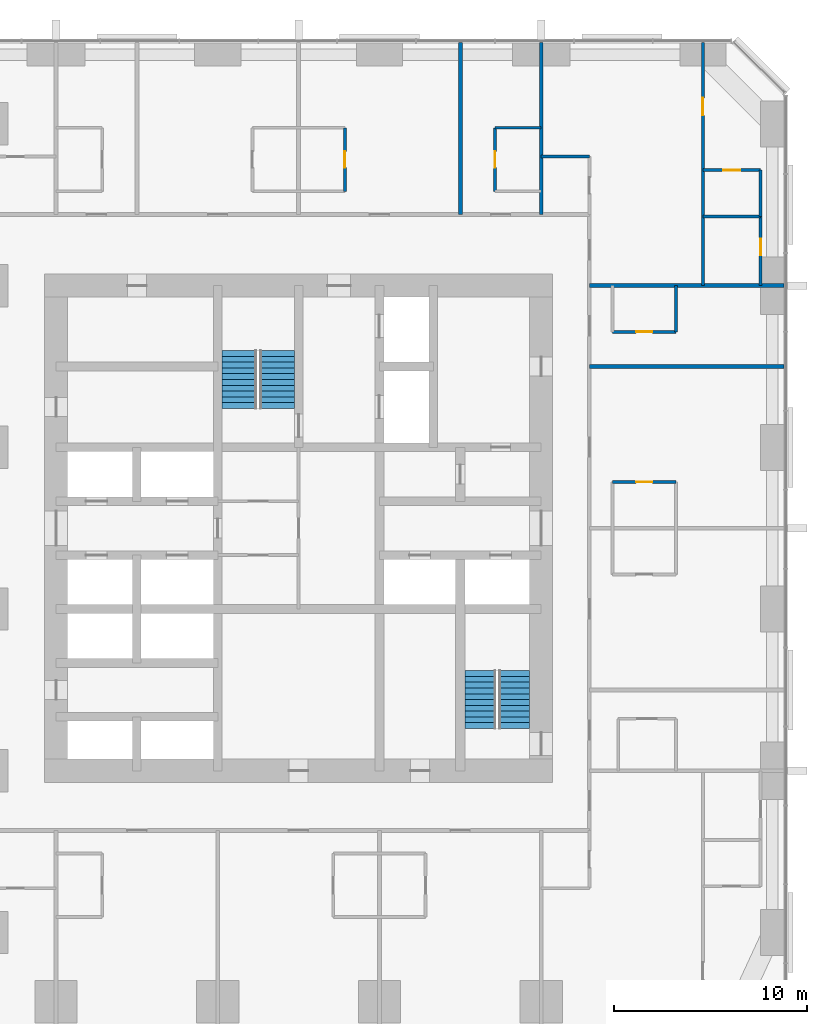
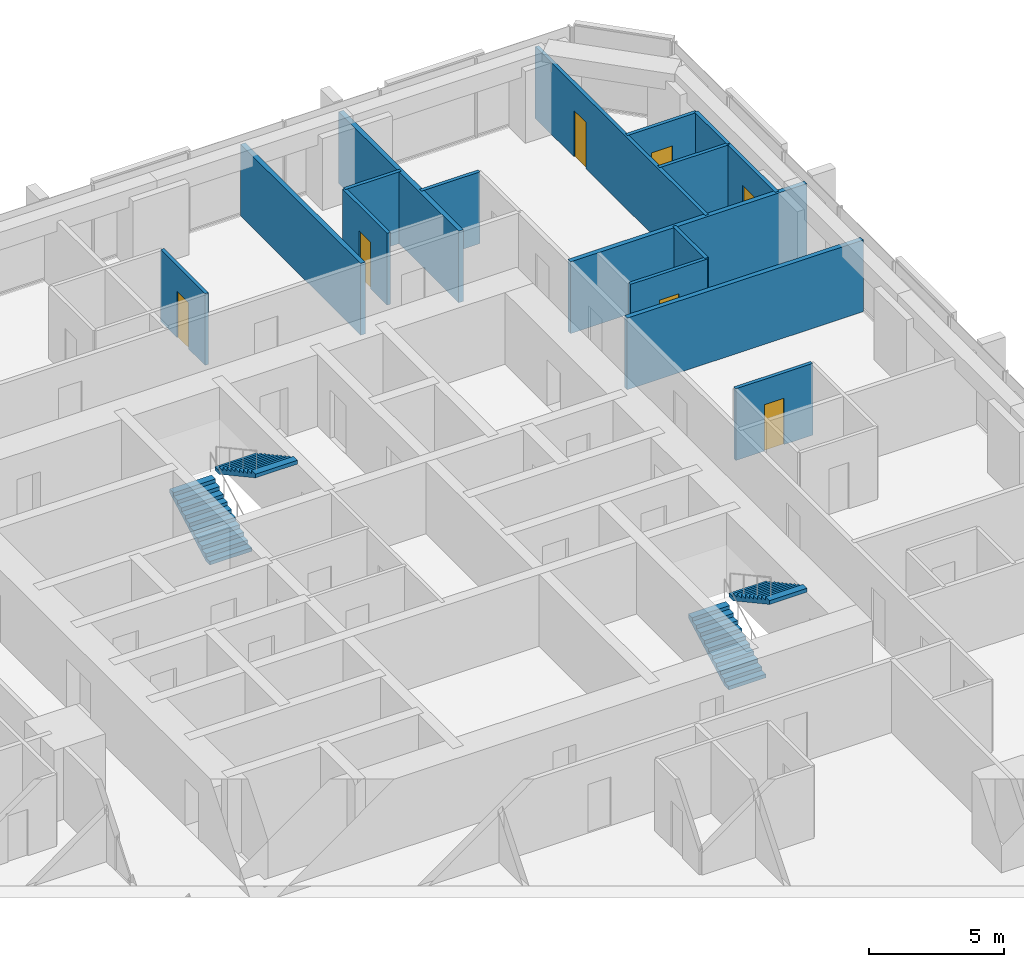
# One storey, part 12 of 13: 16 walls, 7 doors, 4 stair flights, 7 openings, 2 elements without a shape of their own.
"""IFC4 building model written with IfcOpenShell, lengths in metres."""

from ifc_helpers import new_model, si_unit, direction, frame, frame_2d, origin, place, context, subcontext, project, spatial, polyline, rectangle, outline, extrude, material, layer, layer_set, type_object, element, fill, aggregate, save


model = new_model("IFC4")

# Units and contexts
model_context = context("Model", 3, precision=1e-05, world=origin(), true_north=direction((0.0, 1.0)))
body_context = subcontext(model_context, "Body", "Model", "MODEL_VIEW")
ifc_project = project(units=[si_unit("LENGTHUNIT", "METRE"), si_unit("AREAUNIT", "SQUARE_METRE"), si_unit("VOLUMEUNIT", "CUBIC_METRE"), si_unit("PLANEANGLEUNIT", "RADIAN"), si_unit("MASSUNIT", "GRAM", prefix="KILO")], contexts=[model_context])

# Site, building, storey
site_placement = place(None, origin())
site = spatial("IfcSite", under=ifc_project, at=site_placement, CompositionType="ELEMENT")
building_placement = place(site_placement, origin())
building = spatial("IfcBuilding", under=site, at=building_placement, Name="Dunama Terrace Hotel", CompositionType="ELEMENT")
storey_placement = place(building_placement, frame((0.0, 0.0, 97.199951171875)))
storey = spatial("IfcBuildingStorey", under=building, at=storey_placement, Name="L24", CompositionType="ELEMENT", Elevation=97.199951171875)

# Wall, opening, door
ifc_material_1 = material(Name="Gypsum board partition", Category="masonry")
ifc_layer_1 = layer(ifc_material_1, 0.14990234375)
ifc_layer_set_1 = layer_set([ifc_layer_1], Name="Bathroom partition 150")
wall_type_1 = type_object("IfcWallType", Name="Bathroom partition 150", PredefinedType="PARTITIONING", material=ifc_layer_set_1)
wall_1_placement = place(storey_placement, frame((31.800048828125, 46.89990234375, 0.0), z_axis=(0.0, 0.0, 1.0), x_axis=(0.0, 1.0, 0.0)))
wall_1 = element("IfcWall", 1, at=wall_1_placement, inside=storey, type_object=wall_type_1, Name="Bathroom partition 150 L24", PredefinedType="PARTITIONING", context=body_context, shape_type="SweptSolid", body=[
    extrude(rectangle(XDim=3.300048828125, YDim=0.14990234375, at=frame_2d((1.64990234375, 0.0))), origin(), (0.0, 0.0, 1.0), 3.25),
])
opening_1_placement = place(wall_1_placement, frame((1.22509765625, 0.0, 0.0)))
opening_1 = element("IfcOpeningElement", 2, at=opening_1_placement, cuts=wall_1, Name="Opening L24-030", PredefinedType="OPENING", context=body_context, shape_type="SweptSolid", body=[
    extrude(rectangle(XDim=0.85009765625, YDim=2.10009765625, at=frame_2d((0.425048828125, 1.050048828125))), frame((0.0, 0.0849609375, 0.0), z_axis=(0.0, -1.0, 0.0), x_axis=(1.0, 0.0, 0.0)), (0.0, 0.0, 1.0), 0.169921875),
])
ifc_material_2 = material(Name="Timber door with steel frame", Category="steel")
door_type_1 = type_object("IfcDoorType", Name="Bathroom door 850", OperationType="SINGLE_SWING_LEFT", PredefinedType="DOOR", material=ifc_material_2)
door_1_placement = place(opening_1_placement, origin())
door_1 = element("IfcDoor", 3, at=door_1_placement, inside=storey, type_object=door_type_1, Name="Door to en-suite bathroom L24-030, type D2", OperationType="SINGLE_SWING_LEFT", OverallHeight=2.10009765625, OverallWidth=0.85009765625, PredefinedType="DOOR", context=body_context, shape_type="SweptSolid", body=[
    extrude(rectangle(XDim=0.85009765625, YDim=2.10009765625, at=frame_2d((0.425048828125, 1.050048828125))), frame((0.0, 0.02490234375, 0.0), z_axis=(0.0, -1.0, 0.0), x_axis=(1.0, 0.0, 0.0)), (0.0, 0.0, 1.0), 0.050048828125),
])
fill(opening_1, door_1)

wall_2_placement = place(storey_placement, frame((39.60009765625, 46.89990234375, 0.0), z_axis=(0.0, 0.0, 1.0), x_axis=(0.0, 1.0, 0.0)))
wall_2 = element("IfcWall", 4, at=wall_2_placement, inside=storey, type_object=wall_type_1, Name="Bathroom partition 150 L24", PredefinedType="PARTITIONING", context=body_context, shape_type="SweptSolid", body=[
    extrude(rectangle(XDim=3.300048828125, YDim=0.14990234375, at=frame_2d((1.64990234375, 0.0))), origin(), (0.0, 0.0, 1.0), 3.25),
])
opening_2_placement = place(wall_2_placement, frame((1.22509765625, 0.0, 0.0)))
opening_2 = element("IfcOpeningElement", 5, at=opening_2_placement, cuts=wall_2, Name="Opening L24-032", PredefinedType="OPENING", context=body_context, shape_type="SweptSolid", body=[
    extrude(rectangle(XDim=0.85009765625, YDim=2.10009765625, at=frame_2d((0.425048828125, 1.050048828125))), frame((0.0, 0.0849609375, 0.0), z_axis=(0.0, -1.0, 0.0), x_axis=(1.0, 0.0, 0.0)), (0.0, 0.0, 1.0), 0.169921875),
])
door_2_placement = place(opening_2_placement, frame((0.85009765625, 0.0, 0.0), z_axis=(0.0, 0.0, 1.0), x_axis=(-1.0, 0.0, 0.0)))
door_2 = element("IfcDoor", 6, at=door_2_placement, inside=storey, type_object=door_type_1, Name="Door to en-suite bathroom L24-032, type D2", OperationType="SINGLE_SWING_RIGHT", OverallHeight=2.10009765625, OverallWidth=0.85009765625, PredefinedType="DOOR", context=body_context, shape_type="SweptSolid", body=[
    extrude(rectangle(XDim=0.85009765625, YDim=2.10009765625, at=frame_2d((0.425048828125, 1.050048828125))), frame((0.0, 0.025146484375, 0.0), z_axis=(0.0, -1.0, 0.0), x_axis=(1.0, 0.0, 0.0)), (0.0, 0.0, 1.0), 0.050048828125),
])
fill(opening_2, door_2)

# Wall
wall_3_placement = place(storey_placement, frame((49.0, 39.60009765625, 0.0), z_axis=(0.0, 0.0, 1.0), x_axis=(0.0, 1.0, 0.0)))
element("IfcWall", 7, at=wall_3_placement, inside=storey, type_object=wall_type_1, Name="Bathroom partition 150 L24", PredefinedType="PARTITIONING", context=body_context, shape_type="SweptSolid", body=[
    extrude(rectangle(XDim=2.39990234375, YDim=0.14990234375, at=frame_2d((1.199951171875, 0.0))), origin(), (0.0, 0.0, 1.0), 3.25),
])

# Wall, opening, door
wall_4_placement = place(storey_placement, frame((53.39990234375, 42.0, 0.0), z_axis=(0.0, 0.0, 1.0), x_axis=(0.0, 1.0, 0.0)))
wall_4 = element("IfcWall", 8, at=wall_4_placement, inside=storey, type_object=wall_type_1, Name="Bathroom partition 150 L24", PredefinedType="PARTITIONING", context=body_context, shape_type="SweptSolid", body=[
    extrude(rectangle(XDim=3.60009765625, YDim=0.14990234375, at=frame_2d((1.800048828125, 0.0))), origin(), (0.0, 0.0, 1.0), 3.25),
])
opening_3_placement = place(wall_4_placement, frame((1.574951171875, 0.0, 0.0)))
opening_3 = element("IfcOpeningElement", 9, at=opening_3_placement, cuts=wall_4, Name="Opening L24-058", PredefinedType="OPENING", context=body_context, shape_type="SweptSolid", body=[
    extrude(rectangle(XDim=0.85009765625, YDim=2.10009765625, at=frame_2d((0.425048828125, 1.050048828125))), frame((0.0, 0.0849609375, 0.0), z_axis=(0.0, -1.0, 0.0), x_axis=(1.0, 0.0, 0.0)), (0.0, 0.0, 1.0), 0.169921875),
])
door_3_placement = place(opening_3_placement, origin())
door_3 = element("IfcDoor", 10, at=door_3_placement, inside=storey, type_object=door_type_1, Name="Door to en-suite bathroom L24-058, type D2", OperationType="SINGLE_SWING_LEFT", OverallHeight=2.10009765625, OverallWidth=0.85009765625, PredefinedType="DOOR", context=body_context, shape_type="SweptSolid", body=[
    extrude(rectangle(XDim=0.85009765625, YDim=2.10009765625, at=frame_2d((0.425048828125, 1.050048828125))), frame((0.0, 0.02490234375, 0.0), z_axis=(0.0, -1.0, 0.0), x_axis=(1.0, 0.0, 0.0)), (0.0, 0.0, 1.0), 0.050048828125),
])
fill(opening_3, door_3)

wall_5_placement = place(storey_placement, frame((45.699951171875, 31.800048828125, 0.0), z_axis=(0.0, 0.0, 1.0), x_axis=(1.0, 0.0, 0.0)))
wall_5 = element("IfcWall", 11, at=wall_5_placement, inside=storey, type_object=wall_type_1, Name="Bathroom partition 150 L24", PredefinedType="PARTITIONING", context=body_context, shape_type="SweptSolid", body=[
    extrude(rectangle(XDim=3.300048828125, YDim=0.14990234375, at=frame_2d((1.64990234375, 0.0))), origin(), (0.0, 0.0, 1.0), 3.25),
])
opening_4_placement = place(wall_5_placement, frame((1.22509765625, 0.0, 0.0)))
opening_4 = element("IfcOpeningElement", 12, at=opening_4_placement, cuts=wall_5, Name="Opening L24-022", PredefinedType="OPENING", context=body_context, shape_type="SweptSolid", body=[
    extrude(rectangle(XDim=0.85009765625, YDim=2.10009765625, at=frame_2d((0.425048828125, 1.050048828125))), frame((0.0, 0.0849609375, 0.0), z_axis=(0.0, -1.0, 0.0), x_axis=(1.0, 0.0, 0.0)), (0.0, 0.0, 1.0), 0.169921875),
])
door_4_placement = place(opening_4_placement, frame((0.85009765625, 0.0, 0.0), z_axis=(0.0, 0.0, 1.0), x_axis=(-1.0, 0.0, 0.0)))
door_4 = element("IfcDoor", 13, at=door_4_placement, inside=storey, type_object=door_type_1, Name="Door to en-suite bathroom L24-022, type D2", OperationType="SINGLE_SWING_LEFT", OverallHeight=2.10009765625, OverallWidth=0.85009765625, PredefinedType="DOOR", context=body_context, shape_type="SweptSolid", body=[
    extrude(rectangle(XDim=0.85009765625, YDim=2.10009765625, at=frame_2d((0.425048828125, 1.050048828125))), frame((0.0, 0.025146484375, 0.0), z_axis=(0.0, -1.0, 0.0), x_axis=(1.0, 0.0, 0.0)), (0.0, 0.0, 1.0), 0.050048828125),
])
fill(opening_4, door_4)

wall_6_placement = place(storey_placement, frame((45.699951171875, 39.60009765625, 0.0), z_axis=(0.0, 0.0, 1.0), x_axis=(1.0, 0.0, 0.0)))
wall_6 = element("IfcWall", 14, at=wall_6_placement, inside=storey, type_object=wall_type_1, Name="Bathroom partition 150 L24", PredefinedType="PARTITIONING", context=body_context, shape_type="SweptSolid", body=[
    extrude(rectangle(XDim=3.300048828125, YDim=0.14990234375, at=frame_2d((1.64990234375, 0.0))), origin(), (0.0, 0.0, 1.0), 3.25),
])
opening_5_placement = place(wall_6_placement, frame((1.22509765625, 0.0, 0.0)))
opening_5 = element("IfcOpeningElement", 15, at=opening_5_placement, cuts=wall_6, Name="Opening L24-024", PredefinedType="OPENING", context=body_context, shape_type="SweptSolid", body=[
    extrude(rectangle(XDim=0.85009765625, YDim=2.10009765625, at=frame_2d((0.425048828125, 1.050048828125))), frame((0.0, 0.0849609375, 0.0), z_axis=(0.0, -1.0, 0.0), x_axis=(1.0, 0.0, 0.0)), (0.0, 0.0, 1.0), 0.169921875),
])
door_5_placement = place(opening_5_placement, origin())
door_5 = element("IfcDoor", 16, at=door_5_placement, inside=storey, type_object=door_type_1, Name="Door to en-suite bathroom L24-024, type D2", OperationType="SINGLE_SWING_RIGHT", OverallHeight=2.10009765625, OverallWidth=0.85009765625, PredefinedType="DOOR", context=body_context, shape_type="SweptSolid", body=[
    extrude(rectangle(XDim=0.85009765625, YDim=2.10009765625, at=frame_2d((0.425048828125, 1.050048828125))), frame((0.0, 0.02490234375, 0.0), z_axis=(0.0, -1.0, 0.0), x_axis=(1.0, 0.0, 0.0)), (0.0, 0.0, 1.0), 0.050048828125),
])
fill(opening_5, door_5)

# Walls
wall_7_placement = place(storey_placement, frame((42.0, 48.699951171875, 0.0), z_axis=(0.0, 0.0, 1.0), x_axis=(1.0, 0.0, 0.0)))
element("IfcWall", 17, at=wall_7_placement, inside=storey, type_object=wall_type_1, Name="Bathroom partition 150 L24", PredefinedType="PARTITIONING", context=body_context, shape_type="SweptSolid", body=[
    extrude(rectangle(XDim=2.5, YDim=0.14990234375, at=frame_2d((1.25, 0.0))), origin(), (0.0, 0.0, 1.0), 3.25),
])
wall_8_placement = place(storey_placement, frame((39.60009765625, 50.199951171875, 0.0), z_axis=(0.0, 0.0, 1.0), x_axis=(1.0, 0.0, 0.0)))
element("IfcWall", 18, at=wall_8_placement, inside=storey, type_object=wall_type_1, Name="Bathroom partition 150 L24", PredefinedType="PARTITIONING", context=body_context, shape_type="SweptSolid", body=[
    extrude(rectangle(XDim=2.39990234375, YDim=0.14990234375, at=frame_2d((1.199951171875, 0.0))), origin(), (0.0, 0.0, 1.0), 3.25),
])
ifc_material_3 = material(Name="Concrete blockwork", Category="masonry")
ifc_layer_2 = layer(ifc_material_3, 0.199951171875)
ifc_layer_set_2 = layer_set([ifc_layer_2], Name="Party wall 200")
wall_type_2 = type_object("IfcWallType", Name="Party wall 200", PredefinedType="PARTITIONING", material=ifc_layer_set_2)
for number, where, z_axis, x_axis, name in (
    (19, (37.800048828125, 45.699951171875, 0.0), (0.0, 0.0, 1.0), (0.0, 1.0, 0.0), "Party wall 200 L24"),
    (20, (42.0, 45.699951171875, 0.0), (0.0, 0.0, 1.0), (0.0, 1.0, 0.0), "Party wall 200 L24"),
):
    element("IfcWall", number, at=place(storey_placement, frame(where, z_axis=z_axis, x_axis=x_axis)), inside=storey, type_object=wall_type_2, Name=name, PredefinedType="PARTITIONING", context=body_context, shape_type="SweptSolid", body=[
        extrude(rectangle(XDim=8.91796875, YDim=0.199951171875, at=frame_2d((4.458984375, 0.0))), origin(), (0.0, 0.0, 1.0), 3.25),
    ])
for number, where, z_axis, x_axis, name in (
    (21, (44.5, 37.800048828125, 0.0), (0.0, 0.0, 1.0), (1.0, 0.0, 0.0), "Party wall 200 L24"),
    (22, (44.5, 42.0, 0.0), (0.0, 0.0, 1.0), (1.0, 0.0, 0.0), "Party wall 200 L24"),
):
    element("IfcWall", number, at=place(storey_placement, frame(where, z_axis=z_axis, x_axis=x_axis)), inside=storey, type_object=wall_type_2, Name=name, PredefinedType="PARTITIONING", context=body_context, shape_type="SweptSolid", body=[
        extrude(rectangle(XDim=10.117919921875, YDim=0.199951171875, at=frame_2d((5.05908203125, 0.0))), origin(), (0.0, 0.0, 1.0), 3.25),
    ])

# Wall, opening, door
ifc_material_4 = material(Name="Gypsum board partition", Category="masonry")
ifc_layer_3 = layer(ifc_material_4, 0.14990234375)
ifc_layer_set_3 = layer_set([ifc_layer_3], Name="Room partition 150")
wall_type_3 = type_object("IfcWallType", Name="Room partition 150", PredefinedType="PARTITIONING", material=ifc_layer_set_3)
wall_9_placement = place(storey_placement, frame((50.39990234375, 42.0, 0.0), z_axis=(0.0, 0.0, 1.0), x_axis=(0.0, 1.0, 0.0)))
wall_9 = element("IfcWall", 23, at=wall_9_placement, inside=storey, type_object=wall_type_3, Name="Room partition 150 L24", PredefinedType="PARTITIONING", context=body_context, shape_type="SweptSolid", body=[
    extrude(rectangle(XDim=12.617919921875, YDim=0.14990234375, at=frame_2d((6.30908203125, 0.0))), origin(), (0.0, 0.0, 1.0), 3.25),
])
opening_6_placement = place(wall_9_placement, frame((8.85009765625, 0.0, 0.0)))
opening_6 = element("IfcOpeningElement", 24, at=opening_6_placement, cuts=wall_9, Name="Opening L24-057", PredefinedType="OPENING", context=body_context, shape_type="SweptSolid", body=[
    extrude(rectangle(XDim=0.89990234375, YDim=2.10009765625, at=frame_2d((0.449951171875, 1.050048828125))), frame((0.0, 0.0849609375, 0.0), z_axis=(0.0, -1.0, 0.0), x_axis=(1.0, 0.0, 0.0)), (0.0, 0.0, 1.0), 0.169921875),
])
ifc_material_5 = material(Name="Timber door with steel frame", Category="steel")
door_type_2 = type_object("IfcDoorType", Name="Suite internal door 900", OperationType="SINGLE_SWING_LEFT", PredefinedType="DOOR", material=ifc_material_5)
door_6_placement = place(opening_6_placement, frame((0.89990234375, 0.0, 0.0), z_axis=(0.0, 0.0, 1.0), x_axis=(-1.0, 0.0, 0.0)))
door_6 = element("IfcDoor", 25, at=door_6_placement, inside=storey, type_object=door_type_2, Name="Door to corner suite bedroom L24-057, type D16", OperationType="SINGLE_SWING_LEFT", OverallHeight=2.10009765625, OverallWidth=0.89990234375, PredefinedType="DOOR", context=body_context, shape_type="SweptSolid", body=[
    extrude(rectangle(XDim=0.89990234375, YDim=2.10009765625, at=frame_2d((0.449951171875, 1.050048828125))), frame((0.0, 0.025146484375, 0.0), z_axis=(0.0, -1.0, 0.0), x_axis=(1.0, 0.0, 0.0)), (0.0, 0.0, 1.0), 0.050048828125),
])
fill(opening_6, door_6)

# Walls
wall_10_placement = place(storey_placement, frame((53.39990234375, 45.60009765625, 0.0), z_axis=(0.0, 0.0, 1.0), x_axis=(0.0, 1.0, 0.0)))
element("IfcWall", 26, at=wall_10_placement, inside=storey, type_object=wall_type_3, Name="Room partition 150 L24", PredefinedType="PARTITIONING", context=body_context, shape_type="SweptSolid", body=[
    extrude(rectangle(XDim=2.39990234375, YDim=0.14990234375, at=frame_2d((1.199951171875, 0.0))), origin(), (0.0, 0.0, 1.0), 3.25),
])
wall_11_placement = place(storey_placement, frame((50.39990234375, 45.60009765625, 0.0), z_axis=(0.0, 0.0, 1.0), x_axis=(1.0, 0.0, 0.0)))
element("IfcWall", 27, at=wall_11_placement, inside=storey, type_object=wall_type_3, Name="Room partition 150 L24", PredefinedType="PARTITIONING", context=body_context, shape_type="SweptSolid", body=[
    extrude(rectangle(XDim=3.0, YDim=0.14990234375, at=frame_2d((1.5, 0.0))), origin(), (0.0, 0.0, 1.0), 3.25),
])

# Wall, opening, door
wall_12_placement = place(storey_placement, frame((50.39990234375, 48.0, 0.0), z_axis=(0.0, 0.0, 1.0), x_axis=(1.0, 0.0, 0.0)))
wall_12 = element("IfcWall", 28, at=wall_12_placement, inside=storey, type_object=wall_type_3, Name="Room partition 150 L24", PredefinedType="PARTITIONING", context=body_context, shape_type="SweptSolid", body=[
    extrude(rectangle(XDim=3.0, YDim=0.14990234375, at=frame_2d((1.5, 0.0))), origin(), (0.0, 0.0, 1.0), 3.25),
])
opening_7_placement = place(wall_12_placement, frame((1.050048828125, 0.0, 0.0)))
opening_7 = element("IfcOpeningElement", 29, at=opening_7_placement, cuts=wall_12, Name="Opening L24-059", PredefinedType="OPENING", context=body_context, shape_type="SweptSolid", body=[
    extrude(rectangle(XDim=0.89990234375, YDim=2.10009765625, at=frame_2d((0.449951171875, 1.050048828125))), frame((0.0, 0.0849609375, 0.0), z_axis=(0.0, -1.0, 0.0), x_axis=(1.0, 0.0, 0.0)), (0.0, 0.0, 1.0), 0.169921875),
])
door_7_placement = place(opening_7_placement, frame((0.89990234375, 0.0, 0.0), z_axis=(0.0, 0.0, 1.0), x_axis=(-1.0, 0.0, 0.0)))
door_7 = element("IfcDoor", 30, at=door_7_placement, inside=storey, type_object=door_type_2, Name="Door to dressing room L24-059, type D16", OperationType="SINGLE_SWING_RIGHT", OverallHeight=2.10009765625, OverallWidth=0.89990234375, PredefinedType="DOOR", context=body_context, shape_type="SweptSolid", body=[
    extrude(rectangle(XDim=0.89990234375, YDim=2.10009765625, at=frame_2d((0.449951171875, 1.050048828125))), frame((0.0, 0.025146484375, 0.0), z_axis=(0.0, -1.0, 0.0), x_axis=(1.0, 0.0, 0.0)), (0.0, 0.0, 1.0), 0.050048828125),
])
fill(opening_7, door_7)

# Stair, stair flights
ifc_material_6 = material(Name="Concrete C40/50", Category="concrete")
stair_type_1 = type_object("IfcStairType", Name="Stair ST1-3600-1800", PredefinedType="HALF_TURN_STAIR", material=ifc_material_6)
stair_1_placement = place(storey_placement, origin())
stair_1 = element("IfcStair", 31, at=stair_1_placement, inside=storey, type_object=stair_type_1, Name="Stair ST1 L24", PredefinedType="HALF_TURN_STAIR")
ifc_material_7 = material(Name="Concrete C40/50", Category="concrete")
stair_flight_type_1 = type_object("IfcStairFlightType", Name="Stair flight ST1-3600-1800", PredefinedType="STRAIGHT", material=ifc_material_7)
stair_flight_1_placement = place(storey_placement, frame((26.324951171875, 35.625, 0.0), z_axis=(0.0, 0.0, 1.0), x_axis=(0.0, 1.0, 0.0)))
stair_flight_1 = element("IfcStairFlight", 32, at=stair_flight_1_placement, type_object=stair_flight_type_1, Name="ST1 flight 1", NumberOfRisers=11, NumberOfTreads=10, PredefinedType="STRAIGHT", RiserHeight=0.163636364, TreadLength=0.3, context=body_context, shape_type="SweptSolid", body=[
    extrude(outline(polyline([(0.0, 0.0), (0.0, 0.16357421875), (0.300048828125, 0.16357421875), (0.300048828125, 0.327392578125), (0.60009765625, 0.327392578125), (0.60009765625, 0.490966796875), (0.89990234375, 0.490966796875), (0.89990234375, 0.654541015625), (1.199951171875, 0.654541015625), (1.199951171875, 0.818115234375), (1.5, 0.818115234375), (1.5, 0.98193359375), (1.800048828125, 0.98193359375), (1.800048828125, 1.1455078125), (2.10009765625, 1.1455078125), (2.10009765625, 1.30908203125), (2.39990234375, 1.30908203125), (2.39990234375, 1.47265625), (2.699951171875, 1.47265625), (2.699951171875, 1.636474609375), (3.0, 1.636474609375), (3.0, 1.800048828125), (3.0, 1.465576171875), (0.31298828125, 0.0), (0.0, 0.0)])), frame((0.0, 0.89990234375, 0.0), z_axis=(0.0, -1.0, 0.0), x_axis=(1.0, 0.0, 0.0)), (0.0, 0.0, 1.0), 1.800048828125),
])
stair_flight_2_placement = place(storey_placement, frame((28.27490234375, 38.625, 1.800048828125), z_axis=(0.0, 0.0, 1.0), x_axis=(0.0, -1.0, 0.0)))
stair_flight_2 = element("IfcStairFlight", 33, at=stair_flight_2_placement, type_object=stair_flight_type_1, Name="ST1 flight 2", NumberOfRisers=11, NumberOfTreads=10, PredefinedType="STRAIGHT", RiserHeight=0.163636364, TreadLength=0.3, context=body_context, shape_type="SweptSolid", body=[
    extrude(outline(polyline([(0.0, 0.0), (0.0, 0.16357421875), (0.300048828125, 0.16357421875), (0.300048828125, 0.327392578125), (0.60009765625, 0.327392578125), (0.60009765625, 0.490966796875), (0.89990234375, 0.490966796875), (0.89990234375, 0.654541015625), (1.199951171875, 0.654541015625), (1.199951171875, 0.818115234375), (1.5, 0.818115234375), (1.5, 0.98193359375), (1.800048828125, 0.98193359375), (1.800048828125, 1.1455078125), (2.10009765625, 1.1455078125), (2.10009765625, 1.30908203125), (2.39990234375, 1.30908203125), (2.39990234375, 1.47265625), (2.699951171875, 1.47265625), (2.699951171875, 1.636474609375), (3.0, 1.636474609375), (3.0, 1.800048828125), (3.0, 1.465576171875), (0.31298828125, 0.0), (0.0, 0.0)])), frame((0.0, 0.89990234375, 0.0), z_axis=(0.0, -1.0, 0.0), x_axis=(1.0, 0.0, 0.0)), (0.0, 0.0, 1.0), 1.800048828125),
])
aggregate(stair_1, [stair_flight_1, stair_flight_2])

ifc_material_8 = material(Name="Concrete C40/50", Category="concrete")
stair_type_2 = type_object("IfcStairType", Name="Stair ST2-3600-1600", PredefinedType="HALF_TURN_STAIR", material=ifc_material_8)
stair_2_placement = place(storey_placement, origin())
stair_2 = element("IfcStair", 34, at=stair_2_placement, inside=storey, type_object=stair_type_2, Name="Stair ST2 L24", PredefinedType="HALF_TURN_STAIR")
ifc_material_9 = material(Name="Concrete C40/50", Category="concrete")
stair_flight_type_2 = type_object("IfcStairFlightType", Name="Stair flight ST2-3600-1600", PredefinedType="STRAIGHT", material=ifc_material_9)
stair_flight_3_placement = place(storey_placement, frame((38.85009765625, 19.0, 0.0), z_axis=(0.0, 0.0, 1.0), x_axis=(0.0, 1.0, 0.0)))
stair_flight_3 = element("IfcStairFlight", 35, at=stair_flight_3_placement, type_object=stair_flight_type_2, Name="ST2 flight 1", NumberOfRisers=11, NumberOfTreads=10, PredefinedType="STRAIGHT", RiserHeight=0.163636364, TreadLength=0.3, context=body_context, shape_type="SweptSolid", body=[
    extrude(outline(polyline([(0.0, 0.0), (0.0, 0.16357421875), (0.300048828125, 0.16357421875), (0.300048828125, 0.327392578125), (0.60009765625, 0.327392578125), (0.60009765625, 0.490966796875), (0.89990234375, 0.490966796875), (0.89990234375, 0.654541015625), (1.199951171875, 0.654541015625), (1.199951171875, 0.818115234375), (1.5, 0.818115234375), (1.5, 0.98193359375), (1.800048828125, 0.98193359375), (1.800048828125, 1.1455078125), (2.10009765625, 1.1455078125), (2.10009765625, 1.30908203125), (2.39990234375, 1.30908203125), (2.39990234375, 1.47265625), (2.699951171875, 1.47265625), (2.699951171875, 1.636474609375), (3.0, 1.636474609375), (3.0, 1.800048828125), (3.0, 1.465576171875), (0.31298828125, 0.0), (0.0, 0.0)])), frame((0.0, 0.800048828125, 0.0), z_axis=(0.0, -1.0, 0.0), x_axis=(1.0, 0.0, 0.0)), (0.0, 0.0, 1.0), 1.60009765625),
])
stair_flight_4_placement = place(storey_placement, frame((40.60009765625, 22.0, 1.800048828125), z_axis=(0.0, 0.0, 1.0), x_axis=(0.0, -1.0, 0.0)))
stair_flight_4 = element("IfcStairFlight", 36, at=stair_flight_4_placement, type_object=stair_flight_type_2, Name="ST2 flight 2", NumberOfRisers=11, NumberOfTreads=10, PredefinedType="STRAIGHT", RiserHeight=0.163636364, TreadLength=0.3, context=body_context, shape_type="SweptSolid", body=[
    extrude(outline(polyline([(0.0, 0.0), (0.0, 0.16357421875), (0.300048828125, 0.16357421875), (0.300048828125, 0.327392578125), (0.60009765625, 0.327392578125), (0.60009765625, 0.490966796875), (0.89990234375, 0.490966796875), (0.89990234375, 0.654541015625), (1.199951171875, 0.654541015625), (1.199951171875, 0.818115234375), (1.5, 0.818115234375), (1.5, 0.98193359375), (1.800048828125, 0.98193359375), (1.800048828125, 1.1455078125), (2.10009765625, 1.1455078125), (2.10009765625, 1.30908203125), (2.39990234375, 1.30908203125), (2.39990234375, 1.47265625), (2.699951171875, 1.47265625), (2.699951171875, 1.636474609375), (3.0, 1.636474609375), (3.0, 1.800048828125), (3.0, 1.465576171875), (0.31298828125, 0.0), (0.0, 0.0)])), frame((0.0, 0.800048828125, 0.0), z_axis=(0.0, -1.0, 0.0), x_axis=(1.0, 0.0, 0.0)), (0.0, 0.0, 1.0), 1.60009765625),
])
aggregate(stair_2, [stair_flight_3, stair_flight_4])

save(model, "model.ifc")
